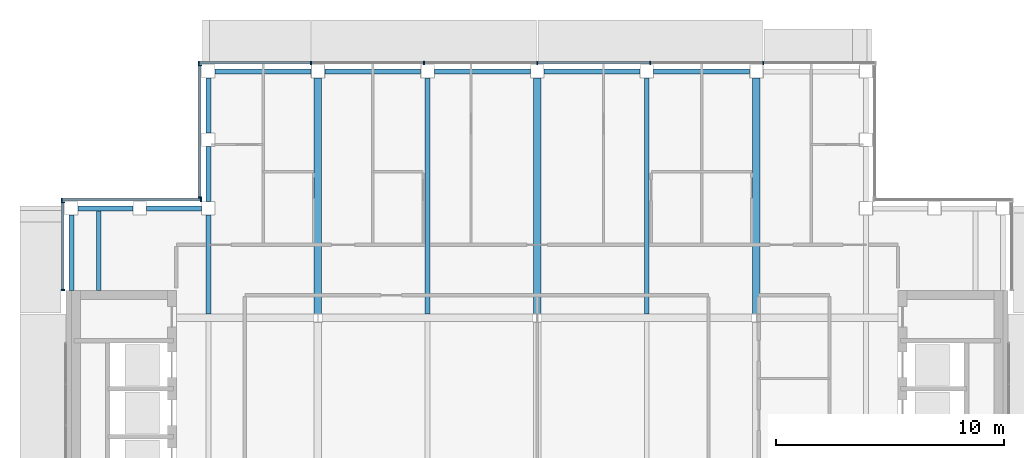
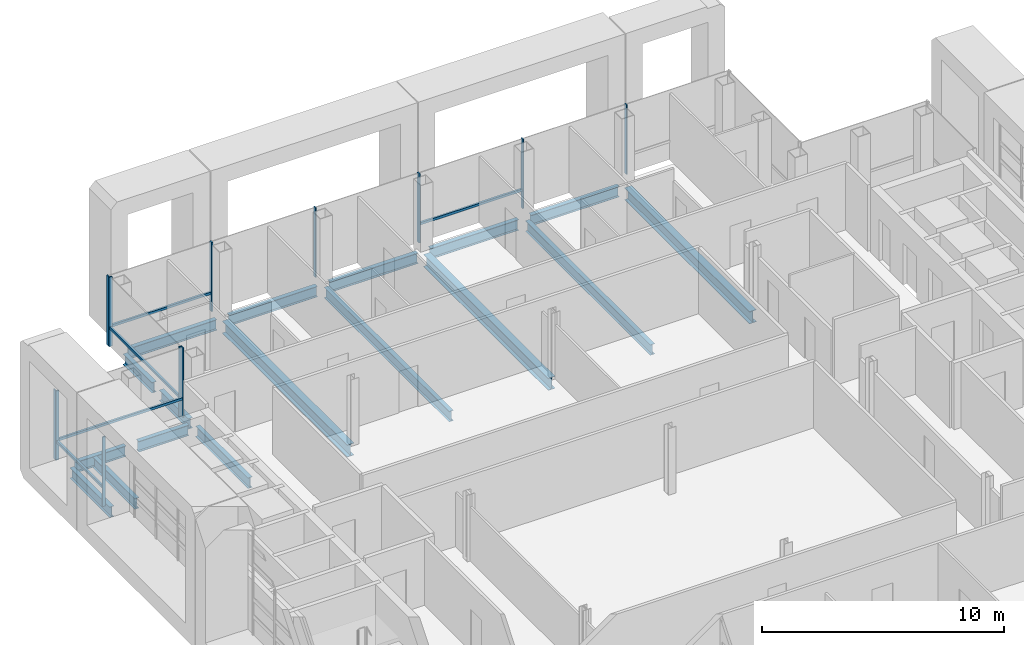
# One storey, part 6 of 21: 17 beams, 17 members, 4 elements without a shape of their own.
"""IFC4 building model written with IfcOpenShell, lengths in metres."""

from ifc_helpers import new_model, si_unit, direction, frame, origin, origin_2d, place, context, subcontext, project, spatial, rectangle, i_section, extrude, material, material_profile, profile_set, type_object, element, aggregate, save


model = new_model("IFC4")

# Units and contexts
model_context = context("Model", 3, precision=1e-05, world=origin(), true_north=direction((0.0, 1.0)))
body_context = subcontext(model_context, "Body", "Model", "MODEL_VIEW")
ifc_project = project(units=[si_unit("LENGTHUNIT", "METRE"), si_unit("AREAUNIT", "SQUARE_METRE"), si_unit("VOLUMEUNIT", "CUBIC_METRE"), si_unit("PLANEANGLEUNIT", "RADIAN"), si_unit("MASSUNIT", "GRAM", prefix="KILO")], contexts=[model_context])

# Site, building, storey
site_placement = place(None, origin())
site = spatial("IfcSite", under=ifc_project, at=site_placement, CompositionType="ELEMENT")
building_placement = place(site_placement, origin())
building = spatial("IfcBuilding", under=site, at=building_placement, Name="Cobrizo Arcos Hotel Tower", CompositionType="ELEMENT")
storey_placement = place(building_placement, frame((0.0, 0.0, 248.0)))
storey = spatial("IfcBuildingStorey", under=building, at=storey_placement, Name="L65", CompositionType="ELEMENT", Elevation=248.0)

# Curtain wall, members
ifc_material_1 = material(Name="Aluminium 6063-T6 anodised bronze", Category="aluminium")
curtain_wall_type = type_object("IfcCurtainWallType", Name="CW-A guest facade", PredefinedType="NOTDEFINED", material=ifc_material_1)
curtain_wall_1_placement = place(storey_placement, origin())
curtain_wall_1 = element("IfcCurtainWall", 1, at=curtain_wall_1_placement, inside=storey, type_object=curtain_wall_type, Name="CW-A L65 N face", PredefinedType="NOTDEFINED")
ifc_material_profile_1 = material_profile(ifc_material_1, rectangle(XDim=0.14990234375, YDim=0.06005859375, at=origin_2d()), Name="CW-A mullion 150x60")
ifc_profile_set_1 = profile_set([ifc_material_profile_1], Name="Aluminium 6063-T6 anodised bronze")
member_type_1 = type_object("IfcMemberType", Name="CW-A mullion 150x60", PredefinedType="MULLION", material=ifc_profile_set_1)
member_1_placement = place(storey_placement, frame((9.89990234375, 20.77490234375, 0.0), z_axis=(0.0, 0.0, 1.0), x_axis=(0.0, 1.0, 0.0)))
member_1 = element("IfcMember", 2, at=member_1_placement, type_object=member_type_1, Name="CW-A mullion 2", PredefinedType="MULLION", context=body_context, shape_type="SweptSolid", body=[
    extrude(rectangle(XDim=0.14990234375, YDim=0.06005859375, at=origin_2d()), origin(), (0.0, 0.0, 1.0), 3.5),
])
member_2_placement = place(storey_placement, frame((4.949951171875, 20.77490234375, 0.0), z_axis=(0.0, 0.0, 1.0), x_axis=(0.0, 1.0, 0.0)))
member_2 = element("IfcMember", 3, at=member_2_placement, type_object=member_type_1, Name="CW-A mullion 3", PredefinedType="MULLION", context=body_context, shape_type="SweptSolid", body=[
    extrude(rectangle(XDim=0.14990234375, YDim=0.06005859375, at=origin_2d()), origin(), (0.0, 0.0, 1.0), 3.5),
])
member_3_placement = place(storey_placement, frame((0.0, 20.77490234375, 0.0), z_axis=(0.0, 0.0, 1.0), x_axis=(0.0, 1.0, 0.0)))
member_3 = element("IfcMember", 4, at=member_3_placement, type_object=member_type_1, Name="CW-A mullion 4", PredefinedType="MULLION", context=body_context, shape_type="SweptSolid", body=[
    extrude(rectangle(XDim=0.14990234375, YDim=0.06005859375, at=origin_2d()), origin(), (0.0, 0.0, 1.0), 3.5),
])
member_4_placement = place(storey_placement, frame((-4.949951171875, 20.77490234375, 0.0), z_axis=(0.0, 0.0, 1.0), x_axis=(0.0, 1.0, 0.0)))
member_4 = element("IfcMember", 5, at=member_4_placement, type_object=member_type_1, Name="CW-A mullion 5", PredefinedType="MULLION", context=body_context, shape_type="SweptSolid", body=[
    extrude(rectangle(XDim=0.14990234375, YDim=0.06005859375, at=origin_2d()), origin(), (0.0, 0.0, 1.0), 3.5),
])
member_5_placement = place(storey_placement, frame((-9.89990234375, 20.77490234375, 0.0), z_axis=(0.0, 0.0, 1.0), x_axis=(0.0, 1.0, 0.0)))
member_5 = element("IfcMember", 6, at=member_5_placement, type_object=member_type_1, Name="CW-A mullion 6", PredefinedType="MULLION", context=body_context, shape_type="SweptSolid", body=[
    extrude(rectangle(XDim=0.14990234375, YDim=0.06005859375, at=origin_2d()), origin(), (0.0, 0.0, 1.0), 3.5),
])
member_6_placement = place(storey_placement, frame((-14.820068359375, 20.77490234375, 0.0), z_axis=(0.0, 0.0, 1.0), x_axis=(0.0, 1.0, 0.0)))
member_6 = element("IfcMember", 7, at=member_6_placement, type_object=member_type_1, Name="CW-A mullion 7", PredefinedType="MULLION", context=body_context, shape_type="SweptSolid", body=[
    extrude(rectangle(XDim=0.14990234375, YDim=0.06005859375, at=origin_2d()), origin(), (0.0, 0.0, 1.0), 3.5),
])

curtain_wall_2_placement = place(storey_placement, origin())
curtain_wall_2 = element("IfcCurtainWall", 8, at=curtain_wall_2_placement, inside=storey, type_object=curtain_wall_type, Name="CW-A L65 W face", PredefinedType="NOTDEFINED")
member_7_placement = place(storey_placement, frame((-14.77490234375, 20.669921875, 0.0), z_axis=(0.0, 0.0, 1.0), x_axis=(-1.0, 0.0, 0.0)))
member_7 = element("IfcMember", 9, at=member_7_placement, type_object=member_type_1, Name="CW-A mullion 1", PredefinedType="MULLION", context=body_context, shape_type="SweptSolid", body=[
    extrude(rectangle(XDim=0.14990234375, YDim=0.06005859375, at=origin_2d()), origin(), (0.0, 0.0, 1.0), 3.5),
])
member_8_placement = place(storey_placement, frame((-14.77490234375, 14.8798828125, 0.0), z_axis=(0.0, 0.0, 1.0), x_axis=(-1.0, 0.0, 0.0)))
member_8 = element("IfcMember", 10, at=member_8_placement, type_object=member_type_1, Name="CW-A mullion 2", PredefinedType="MULLION", context=body_context, shape_type="SweptSolid", body=[
    extrude(rectangle(XDim=0.14990234375, YDim=0.06005859375, at=origin_2d()), origin(), (0.0, 0.0, 1.0), 3.5),
])

curtain_wall_3_placement = place(storey_placement, origin())
curtain_wall_3 = element("IfcCurtainWall", 11, at=curtain_wall_3_placement, inside=storey, type_object=curtain_wall_type, Name="CW-A L65 N face", PredefinedType="NOTDEFINED")
member_9_placement = place(storey_placement, frame((-14.72998046875, 14.77490234375, 0.0), z_axis=(0.0, 0.0, 1.0), x_axis=(0.0, 1.0, 0.0)))
member_9 = element("IfcMember", 12, at=member_9_placement, type_object=member_type_1, Name="CW-A mullion 1", PredefinedType="MULLION", context=body_context, shape_type="SweptSolid", body=[
    extrude(rectangle(XDim=0.14990234375, YDim=0.06005859375, at=origin_2d()), origin(), (0.0, 0.0, 1.0), 3.5),
])
member_10_placement = place(storey_placement, frame((-20.820068359375, 14.77490234375, 0.0), z_axis=(0.0, 0.0, 1.0), x_axis=(0.0, 1.0, 0.0)))
member_10 = element("IfcMember", 13, at=member_10_placement, type_object=member_type_1, Name="CW-A mullion 2", PredefinedType="MULLION", context=body_context, shape_type="SweptSolid", body=[
    extrude(rectangle(XDim=0.14990234375, YDim=0.06005859375, at=origin_2d()), origin(), (0.0, 0.0, 1.0), 3.5),
])

curtain_wall_4_placement = place(storey_placement, origin())
curtain_wall_4 = element("IfcCurtainWall", 14, at=curtain_wall_4_placement, inside=storey, type_object=curtain_wall_type, Name="CW-A L65 W face", PredefinedType="NOTDEFINED")
member_11_placement = place(storey_placement, frame((-20.77490234375, 14.669921875, 0.0), z_axis=(0.0, 0.0, 1.0), x_axis=(-1.0, 0.0, 0.0)))
member_11 = element("IfcMember", 15, at=member_11_placement, type_object=member_type_1, Name="CW-A mullion 1", PredefinedType="MULLION", context=body_context, shape_type="SweptSolid", body=[
    extrude(rectangle(XDim=0.14990234375, YDim=0.06005859375, at=origin_2d()), origin(), (0.0, 0.0, 1.0), 3.5),
])
member_12_placement = place(storey_placement, frame((-20.77490234375, 10.830078125, 0.0), z_axis=(0.0, 0.0, 1.0), x_axis=(-1.0, 0.0, 0.0)))
member_12 = element("IfcMember", 16, at=member_12_placement, type_object=member_type_1, Name="CW-A mullion 2", PredefinedType="MULLION", context=body_context, shape_type="SweptSolid", body=[
    extrude(rectangle(XDim=0.14990234375, YDim=0.06005859375, at=origin_2d()), origin(), (0.0, 0.0, 1.0), 3.5),
])

# Member
ifc_material_profile_2 = material_profile(ifc_material_1, rectangle(XDim=0.10009765625, YDim=0.1201171875, at=origin_2d()), Name="CW-A transom 120x100")
ifc_profile_set_2 = profile_set([ifc_material_profile_2], Name="Aluminium 6063-T6 anodised bronze")
member_type_2 = type_object("IfcMemberType", Name="CW-A transom 120x100", PredefinedType="USERDEFINED", material=ifc_profile_set_2)
member_13_placement = place(storey_placement, frame((4.919921875, 20.77490234375, 0.929931640625), z_axis=(-1.0, 0.0, 0.0), x_axis=(0.0, -1.0, 0.0)))
member_13 = element("IfcMember", 17, at=member_13_placement, type_object=member_type_2, Name="CW-A transom 2074", ObjectType="TRANSOM", PredefinedType="USERDEFINED", context=body_context, shape_type="SweptSolid", body=[
    extrude(rectangle(XDim=0.10009765625, YDim=0.1201171875, at=origin_2d()), origin(), (0.0, 0.0, 1.0), 4.889892578125),
])

member_14_placement = place(storey_placement, frame((-9.929931640625, 20.77490234375, 0.929931640625), z_axis=(-1.0, 0.0, 0.0), x_axis=(0.0, -1.0, 0.0)))
member_14 = element("IfcMember", 18, at=member_14_placement, type_object=member_type_2, Name="CW-A transom 2077", ObjectType="TRANSOM", PredefinedType="USERDEFINED", context=body_context, shape_type="SweptSolid", body=[
    extrude(rectangle(XDim=0.10009765625, YDim=0.1201171875, at=origin_2d()), origin(), (0.0, 0.0, 1.0), 4.860107421875),
])

aggregate(curtain_wall_1, [member_1, member_2, member_3, member_4, member_5, member_6, member_13, member_14])

member_15_placement = place(storey_placement, frame((-14.77490234375, 20.639892578125, 0.929931640625), z_axis=(0.0, -1.0, 0.0), x_axis=(1.0, 0.0, 0.0)))
member_15 = element("IfcMember", 19, at=member_15_placement, type_object=member_type_2, Name="CW-A transom 2078", ObjectType="TRANSOM", PredefinedType="USERDEFINED", context=body_context, shape_type="SweptSolid", body=[
    extrude(rectangle(XDim=0.10009765625, YDim=0.1201171875, at=origin_2d()), origin(), (0.0, 0.0, 1.0), 5.72998046875),
])

aggregate(curtain_wall_2, [member_7, member_8, member_15])

member_16_placement = place(storey_placement, frame((-14.760009765625, 14.77490234375, 0.929931640625), z_axis=(-1.0, 0.0, 0.0), x_axis=(0.0, -1.0, 0.0)))
member_16 = element("IfcMember", 20, at=member_16_placement, type_object=member_type_2, Name="CW-A transom 2079", ObjectType="TRANSOM", PredefinedType="USERDEFINED", context=body_context, shape_type="SweptSolid", body=[
    extrude(rectangle(XDim=0.10009765625, YDim=0.1201171875, at=origin_2d()), origin(), (0.0, 0.0, 1.0), 6.030029296875),
])

aggregate(curtain_wall_3, [member_9, member_10, member_16])

member_17_placement = place(storey_placement, frame((-20.77490234375, 14.639892578125, 0.929931640625), z_axis=(0.0, -1.0, 0.0), x_axis=(1.0, 0.0, 0.0)))
member_17 = element("IfcMember", 21, at=member_17_placement, type_object=member_type_2, Name="CW-A transom 2080", ObjectType="TRANSOM", PredefinedType="USERDEFINED", context=body_context, shape_type="SweptSolid", body=[
    extrude(rectangle(XDim=0.10009765625, YDim=0.1201171875, at=origin_2d()), origin(), (0.0, 0.0, 1.0), 3.77978515625),
])

aggregate(curtain_wall_4, [member_11, member_12, member_17])

# Beams
ifc_material_2 = material(Name="Steel ASTM A992 Grade 50", Category="steel")
ifc_material_profile_3 = material_profile(ifc_material_2, i_section(OverallWidth=0.209228515625, OverallDepth=0.533447265625, WebThickness=0.01025390625, FlangeThickness=0.015625, at=origin_2d()), Name="W21X62")
ifc_profile_set_3 = profile_set([ifc_material_profile_3], Name="Steel ASTM A992 Grade 50")
beam_type_1 = type_object("IfcBeamType", Name="W21X62 joist", PredefinedType="JOIST", material=ifc_profile_set_3)
beam_1_placement = place(storey_placement, frame((-19.199951171875, 10.81005859375, -0.416748046875), z_axis=(0.0, 1.0, 0.0), x_axis=(-1.0, 0.0, 0.0)))
element("IfcBeam", 22, at=beam_1_placement, inside=storey, type_object=beam_type_1, Name="Floor joist J1, L65, no. 002", PredefinedType="JOIST", context=body_context, shape_type="SweptSolid", body=[
    extrude(i_section(OverallWidth=0.209228515625, OverallDepth=0.533447265625, WebThickness=0.01025390625, FlangeThickness=0.015625, at=origin_2d()), origin(), (0.0, 0.0, 1.0), 3.5),
])
beam_2_placement = place(storey_placement, frame((-14.39990234375, 9.763916015625, -0.416748046875), z_axis=(0.0, 1.0, 0.0), x_axis=(-1.0, 0.0, 0.0)))
element("IfcBeam", 23, at=beam_2_placement, inside=storey, type_object=beam_type_1, Name="Floor joist J1, L65, no. 006", PredefinedType="JOIST", context=body_context, shape_type="SweptSolid", body=[
    extrude(i_section(OverallWidth=0.209228515625, OverallDepth=0.533447265625, WebThickness=0.01025390625, FlangeThickness=0.015625, at=origin_2d()), origin(), (0.0, 0.0, 1.0), 4.336181640625),
])
for number, where, z_axis, x_axis, name in (
    (24, (-4.800048828125, 9.763916015625, -0.416748046875), (0.0, 1.0, 0.0), (-1.0, 0.0, 0.0), "Floor joist J1, L65, no. 010"),
    (25, (4.800048828125, 9.763916015625, -0.416748046875), (0.0, 1.0, 0.0), (-1.0, 0.0, 0.0), "Floor joist J1, L65, no. 014"),
):
    element("IfcBeam", number, at=place(storey_placement, frame(where, z_axis=z_axis, x_axis=x_axis)), inside=storey, type_object=beam_type_1, Name=name, PredefinedType="JOIST", context=body_context, shape_type="SweptSolid", body=[
        extrude(i_section(OverallWidth=0.209228515625, OverallDepth=0.533447265625, WebThickness=0.01025390625, FlangeThickness=0.015625, at=origin_2d()), origin(), (0.0, 0.0, 1.0), 10.336181640625),
    ])
ifc_material_profile_4 = material_profile(ifc_material_2, i_section(OverallWidth=0.209228515625, OverallDepth=0.533447265625, WebThickness=0.01025390625, FlangeThickness=0.015625, at=origin_2d()), Name="W21X62")
ifc_profile_set_4 = profile_set([ifc_material_profile_4], Name="Steel ASTM A992 Grade 50")
beam_type_2 = type_object("IfcBeamType", Name="W21X62 spandrel", PredefinedType="SPANDREL", material=ifc_profile_set_4)
for number, where, z_axis, x_axis, name in (
    (26, (9.300048828125, 20.39990234375, -0.416748046875), (-1.0, 0.0, 0.0), (0.0, -1.0, 0.0), "Spandrel beam W21X62, L65, no. 018"),
    (27, (4.5, 20.39990234375, -0.416748046875), (-1.0, 0.0, 0.0), (0.0, -1.0, 0.0), "Spandrel beam W21X62, L65, no. 019"),
    (28, (-0.300048828125, 20.39990234375, -0.416748046875), (-1.0, 0.0, 0.0), (0.0, -1.0, 0.0), "Spandrel beam W21X62, L65, no. 020"),
    (29, (-5.10009765625, 20.39990234375, -0.416748046875), (-1.0, 0.0, 0.0), (0.0, -1.0, 0.0), "Spandrel beam W21X62, L65, no. 021"),
):
    element("IfcBeam", number, at=place(storey_placement, frame(where, z_axis=z_axis, x_axis=x_axis)), inside=storey, type_object=beam_type_2, Name=name, PredefinedType="SPANDREL", context=body_context, shape_type="SweptSolid", body=[
        extrude(i_section(OverallWidth=0.209228515625, OverallDepth=0.533447265625, WebThickness=0.01025390625, FlangeThickness=0.015625, at=origin_2d()), origin(), (0.0, 0.0, 1.0), 4.199951171875),
    ])
beam_3_placement = place(storey_placement, frame((-9.89990234375, 20.39990234375, -0.416748046875), z_axis=(-1.0, 0.0, 0.0), x_axis=(0.0, -1.0, 0.0)))
element("IfcBeam", 30, at=beam_3_placement, inside=storey, type_object=beam_type_2, Name="Spandrel beam W21X62, L65, no. 022", PredefinedType="SPANDREL", context=body_context, shape_type="SweptSolid", body=[
    extrude(i_section(OverallWidth=0.209228515625, OverallDepth=0.533447265625, WebThickness=0.01025390625, FlangeThickness=0.015625, at=origin_2d()), origin(), (0.0, 0.0, 1.0), 4.2001953125),
])
for number, where, z_axis, x_axis, name in (
    (31, (-14.39990234375, 20.10009765625, -0.416748046875), (0.0, -1.0, 0.0), (1.0, 0.0, 0.0), "Spandrel beam W21X62, L65, no. 023"),
    (32, (-14.39990234375, 17.10009765625, -0.416748046875), (0.0, -1.0, 0.0), (1.0, 0.0, 0.0), "Spandrel beam W21X62, L65, no. 024"),
    (33, (-14.699951171875, 14.39990234375, -0.416748046875), (-1.0, 0.0, 0.0), (0.0, -1.0, 0.0), "Spandrel beam W21X62, L65, no. 025"),
    (34, (-17.699951171875, 14.39990234375, -0.416748046875), (-1.0, 0.0, 0.0), (0.0, -1.0, 0.0), "Spandrel beam W21X62, L65, no. 026"),
):
    element("IfcBeam", number, at=place(storey_placement, frame(where, z_axis=z_axis, x_axis=x_axis)), inside=storey, type_object=beam_type_2, Name=name, PredefinedType="SPANDREL", context=body_context, shape_type="SweptSolid", body=[
        extrude(i_section(OverallWidth=0.209228515625, OverallDepth=0.533447265625, WebThickness=0.01025390625, FlangeThickness=0.015625, at=origin_2d()), origin(), (0.0, 0.0, 1.0), 2.400146484375),
    ])
beam_4_placement = place(storey_placement, frame((-20.39990234375, 14.10009765625, -0.416748046875), z_axis=(0.0, -1.0, 0.0), x_axis=(1.0, 0.0, 0.0)))
element("IfcBeam", 35, at=beam_4_placement, inside=storey, type_object=beam_type_2, Name="Spandrel beam W21X62, L65, no. 027", PredefinedType="SPANDREL", context=body_context, shape_type="SweptSolid", body=[
    extrude(i_section(OverallWidth=0.209228515625, OverallDepth=0.533447265625, WebThickness=0.01025390625, FlangeThickness=0.015625, at=origin_2d()), origin(), (0.0, 0.0, 1.0), 3.2900390625),
])
ifc_material_profile_5 = material_profile(ifc_material_2, i_section(OverallWidth=0.32763671875, OverallDepth=0.622314453125, WebThickness=0.015380859375, FlangeThickness=0.0244140625, at=origin_2d()), Name="W24X131")
ifc_profile_set_5 = profile_set([ifc_material_profile_5], Name="Steel ASTM A992 Grade 50")
beam_type_3 = type_object("IfcBeamType", Name="W24X131 girder", PredefinedType="BEAM", material=ifc_profile_set_5)
for number, where, z_axis, x_axis, name in (
    (36, (-9.60009765625, 9.7841796875, -0.461181640625), (0.0, 1.0, 0.0), (-1.0, 0.0, 0.0), "Floor girder G1, L65, no. 016"),
    (37, (0.0, 9.7841796875, -0.461181640625), (0.0, 1.0, 0.0), (-1.0, 0.0, 0.0), "Floor girder G1, L65, no. 020"),
    (38, (9.60009765625, 9.7841796875, -0.461181640625), (0.0, 1.0, 0.0), (-1.0, 0.0, 0.0), "Floor girder G1, L65, no. 024"),
):
    element("IfcBeam", number, at=place(storey_placement, frame(where, z_axis=z_axis, x_axis=x_axis)), inside=storey, type_object=beam_type_3, Name=name, PredefinedType="BEAM", context=body_context, shape_type="SweptSolid", body=[
        extrude(i_section(OverallWidth=0.32763671875, OverallDepth=0.622314453125, WebThickness=0.015380859375, FlangeThickness=0.0244140625, at=origin_2d()), origin(), (0.0, 0.0, 1.0), 10.31591796875),
    ])

save(model, "model.ifc")
